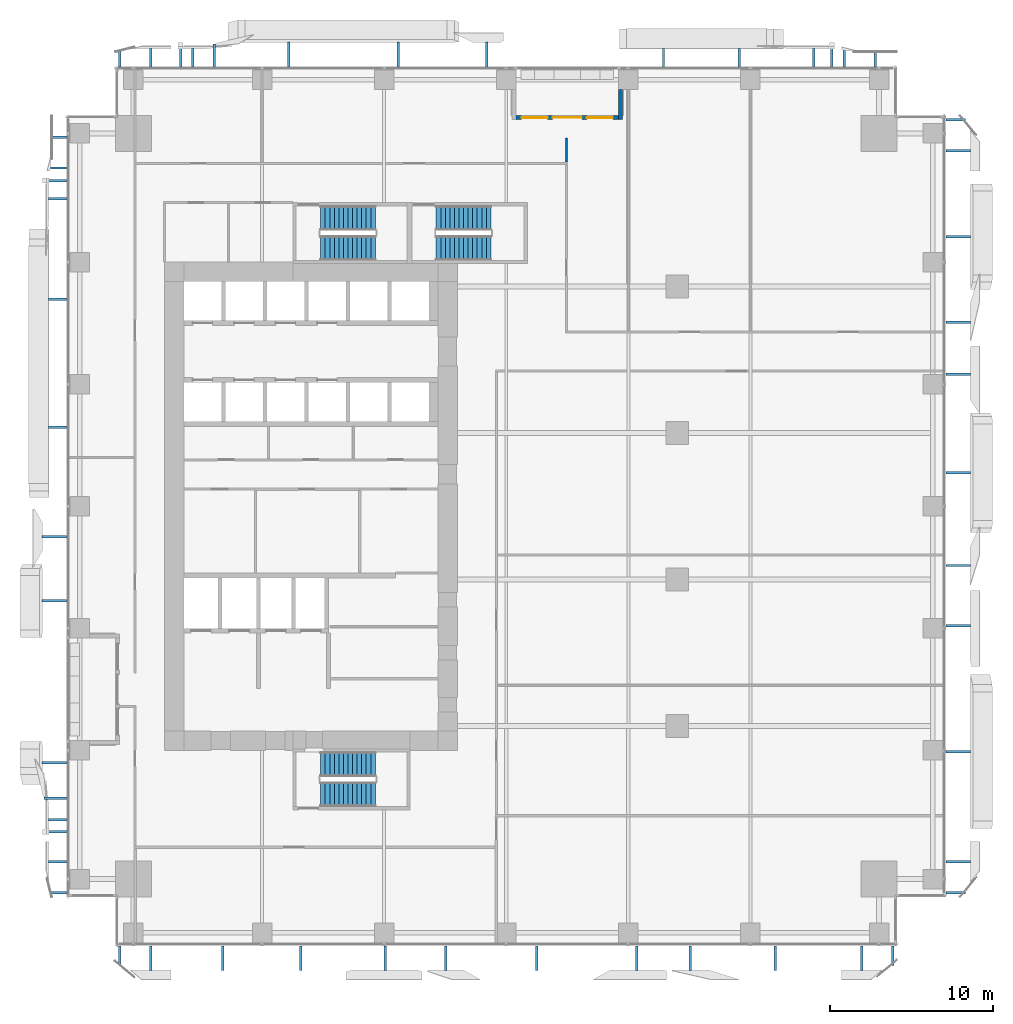
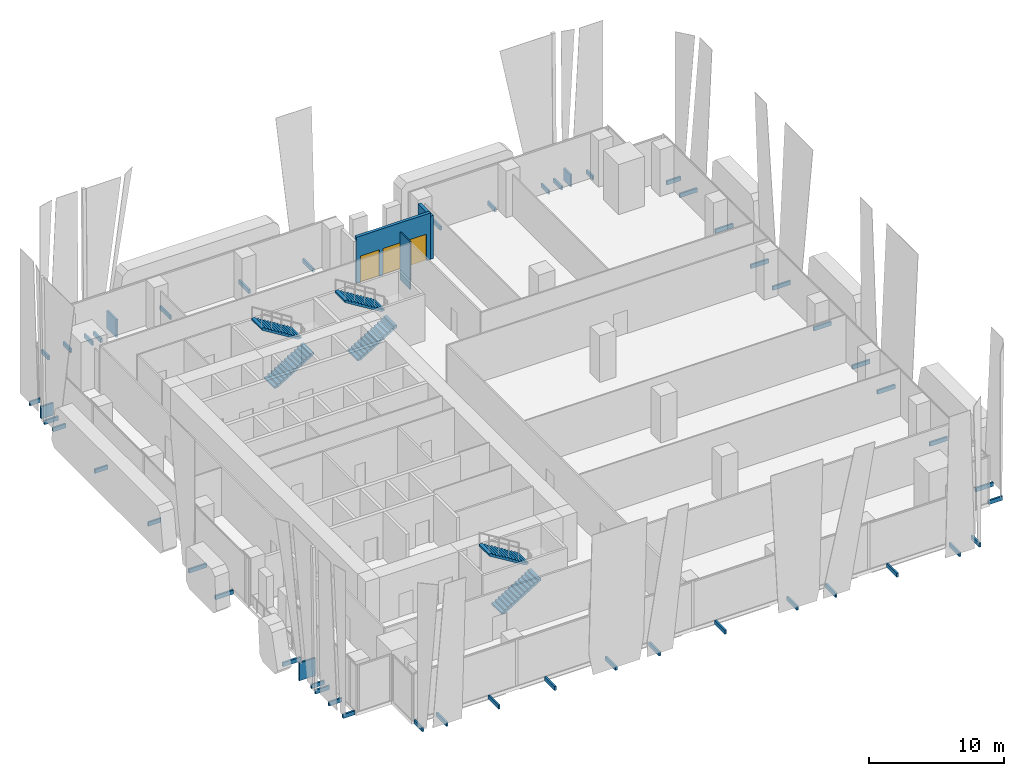
# One storey, part 31 of 36: 51 discrete accessories, 6 stair flights, 3 walls, 2 windows, 1 door, 3 openings, 3 elements without a shape of their own.
"""IFC4 building model written with IfcOpenShell, lengths in metres."""

import ifcopenshell
import ifcopenshell.guid

model = None  # the IFC model being written
_history = None  # IfcOwnerHistory: only IFC2X3 demands one
_inside = {}  # id of a spatial element -> (the spatial element, [elements in it])
_under = {}  # id of a project, library or spatial element -> (it, [spatial elements below it])
_declared = {}  # id of a project -> (the project, [libraries it declares])
_typed = {}  # id of a type object -> (the type object, [elements of that type])
_made_of = {}  # id of a material, layer set ... -> (it, [elements and type objects made of it])


def new_model(schema):
    """Start an empty IFC model of exactly this schema.

    Asked for "IFC4X3", IfcOpenShell would pick the latest addendum, in which some entities
    have other attributes; the version numbers below select the first issue.
    IFC2X3 requires an IfcOwnerHistory on every rooted entity: one is made here for all.
    """
    global model, _history
    if schema == "IFC4X3":
        model = ifcopenshell.file(schema_version=(4, 3, 0, 0))
    else:
        model = ifcopenshell.file(schema=schema)
    _inside.clear()
    _under.clear()
    _declared.clear()
    _typed.clear()
    _made_of.clear()
    _history = None
    if model.schema == "IFC2X3":
        org = make("IfcOrganization", Name="unknown")
        user = make(
            "IfcPersonAndOrganization",
            ThePerson=make("IfcPerson", FamilyName="unknown"),
            TheOrganization=org,
        )
        app = make(
            "IfcApplication",
            ApplicationDeveloper=org,
            Version="unknown",
            ApplicationFullName="unknown",
            ApplicationIdentifier="unknown",
        )
        _history = make(
            "IfcOwnerHistory",
            OwningUser=user,
            OwningApplication=app,
            ChangeAction="ADDED",
            CreationDate=0,
        )
    return model


def make(cls, **values):
    """One entity of the class cls with the attributes given. An attribute that is None is left unset."""
    return model.create_entity(
        cls, **{name: value for name, value in values.items() if value is not None}
    )


def rooted(cls, **values):
    """An entity with a GlobalId (a new one), such as an element, a storey or a relation."""
    return make(cls, GlobalId=ifcopenshell.guid.new(), OwnerHistory=_history, **values)


def si_unit(unit_type, name, prefix=None):
    """IfcSIUnit, for example si_unit("LENGTHUNIT", "METRE", prefix="MILLI")."""
    return make("IfcSIUnit", UnitType=unit_type, Prefix=prefix, Name=name)


def assignment(units):
    """IfcUnitAssignment: the units of a project."""
    return None if units is None else make("IfcUnitAssignment", Units=units)


def point(xyz):
    """IfcCartesianPoint."""
    return None if xyz is None else make("IfcCartesianPoint", Coordinates=xyz)


def direction(xyz):
    """IfcDirection."""
    return None if xyz is None else make("IfcDirection", DirectionRatios=xyz)


def frame(location, z_axis=None, x_axis=None):
    """IfcAxis2Placement3D, a coordinate frame: its origin and axes. An axis left out is left unset."""
    return make(
        "IfcAxis2Placement3D",
        Location=point(location),
        Axis=direction(z_axis),
        RefDirection=direction(x_axis),
    )


def frame_2d(location, x_axis=None):
    """IfcAxis2Placement2D, a coordinate frame in the plane: its origin and x axis."""
    return make(
        "IfcAxis2Placement2D", Location=point(location), RefDirection=direction(x_axis)
    )


def origin():
    """The frame at (0, 0, 0) with its axes left unset."""
    return frame((0.0, 0.0, 0.0))


def origin_2d():
    """The frame at (0, 0) in the plane with its x axis left unset."""
    return frame_2d((0.0, 0.0))


def place(relative_to, where):
    """IfcLocalPlacement: puts the frame where relative to a parent placement (None: the world)."""
    return make(
        "IfcLocalPlacement", PlacementRelTo=relative_to, RelativePlacement=where
    )


def context(
    kind, dimensions, precision=None, world=None, true_north=None, identifier=None
):
    """IfcGeometricRepresentationContext, for example the 3D "Model" context."""
    return make(
        "IfcGeometricRepresentationContext",
        ContextIdentifier=identifier,
        ContextType=kind,
        CoordinateSpaceDimension=dimensions,
        Precision=precision,
        WorldCoordinateSystem=world,
        TrueNorth=true_north,
    )


def subcontext(parent, identifier, kind, view, scale=None):
    """IfcGeometricRepresentationSubContext, for example "Body" below "Model"."""
    return make(
        "IfcGeometricRepresentationSubContext",
        ContextIdentifier=identifier,
        ContextType=kind,
        ParentContext=parent,
        TargetScale=scale,
        TargetView=view,
    )


def project(units=None, contexts=None):
    """IfcProject with its units and contexts."""
    return rooted(
        "IfcProject",
        Name="project",
        RepresentationContexts=contexts,
        UnitsInContext=assignment(units),
    )


def spatial(cls, under=None, at=None, **own):
    """A site, building, storey or space (cls), placed at a placement, below another one or the project."""
    s = rooted(cls, ObjectPlacement=at, **own)
    if under is not None:
        _under.setdefault(under.id(), (under, []))[1].append(s)
    return s


def polyline(points):
    """IfcPolyline through the points."""
    return make("IfcPolyline", Points=[point(p) for p in points])


def profile(cls, at=None, kind="AREA", **sizes):
    """A parametric profile (cls). Its sizes go by their IFC names, for example OverallWidth=200.0."""
    return make(cls, ProfileType=kind, Position=at, **sizes)


def rectangle(**sizes):
    """IfcRectangleProfileDef."""
    return profile("IfcRectangleProfileDef", **sizes)


def outline(outer, holes=None, kind="AREA"):
    """IfcArbitraryClosedProfileDef: a profile drawn as a closed curve; with holes, ...WithVoids."""
    if holes is None:
        return make("IfcArbitraryClosedProfileDef", ProfileType=kind, OuterCurve=outer)
    return make(
        "IfcArbitraryProfileDefWithVoids",
        ProfileType=kind,
        OuterCurve=outer,
        InnerCurves=holes,
    )


def extrude(swept, where, along, depth):
    """IfcExtrudedAreaSolid: the profile swept, set in the frame where, extruded along a direction by depth."""
    return make(
        "IfcExtrudedAreaSolid",
        SweptArea=swept,
        Position=where,
        ExtrudedDirection=direction(along),
        Depth=depth,
    )


def shape(context_of_items, identifier, shape_type, items):
    """IfcShapeRepresentation: the items that make up one representation, for example the "Body"."""
    return make(
        "IfcShapeRepresentation",
        ContextOfItems=context_of_items,
        RepresentationIdentifier=identifier,
        RepresentationType=shape_type,
        Items=items,
    )


def source(mapping_origin, context_of_items, identifier, shape_type, items):
    """IfcRepresentationMap: a shape defined once, which mapped items show again and again."""
    return make(
        "IfcRepresentationMap",
        MappingOrigin=mapping_origin,
        MappedRepresentation=shape(context_of_items, identifier, shape_type, items),
    )


def transform(
    local_origin,
    x_axis=None,
    y_axis=None,
    z_axis=None,
    scale=None,
    scale2=None,
    scale3=None,
    uniform=True,
):
    """IfcCartesianTransformationOperator3D, or its non-uniform kind. x_axis, y_axis, z_axis: its Axis1, 2, 3."""
    if uniform:
        return make(
            "IfcCartesianTransformationOperator3D",
            Axis1=direction(x_axis),
            Axis2=direction(y_axis),
            LocalOrigin=point(local_origin),
            Scale=scale,
            Axis3=direction(z_axis),
        )
    return make(
        "IfcCartesianTransformationOperator3DnonUniform",
        Axis1=direction(x_axis),
        Axis2=direction(y_axis),
        LocalOrigin=point(local_origin),
        Scale=scale,
        Axis3=direction(z_axis),
        Scale2=scale2,
        Scale3=scale3,
    )


def mapped(mapping_source, mapping_target):
    """IfcMappedItem: shows the shape of a source again, moved by a transform."""
    return make(
        "IfcMappedItem", MappingSource=mapping_source, MappingTarget=mapping_target
    )


def material(Name=None, Category=None):
    """IfcMaterial."""
    return make("IfcMaterial", Name=Name, Category=Category)


def layer(
    of_material, thickness, ventilated=None, Name=None, Category=None, Priority=None
):
    """IfcMaterialLayer: one layer of a wall or slab, of a material (None: an air gap)."""
    return make(
        "IfcMaterialLayer",
        Material=of_material,
        LayerThickness=thickness,
        IsVentilated=ventilated,
        Name=Name,
        Category=Category,
        Priority=Priority,
    )


def layer_set(layers, Name=None):
    """IfcMaterialLayerSet."""
    return make("IfcMaterialLayerSet", MaterialLayers=layers, LayerSetName=Name)


def made_of(thing, what):
    """Note that an element or type object is made of a material, layer set ...; save() writes the relation."""
    if what is not None:
        _made_of.setdefault(what.id(), (what, []))[1].append(thing)
    return thing


def type_object(cls, material=None, **own):
    """A type object (cls), such as IfcWallType, which elements share."""
    return made_of(rooted(cls, **own), material)


def element(
    cls,
    number,
    at=None,
    inside=None,
    cuts=None,
    type_object=None,
    material=None,
    context=None,
    identifier="Body",
    shape_type=None,
    held_by="IfcProductDefinitionShape",
    body=None,
    shapes=None,
    **own,
):
    """One element of the class cls, such as IfcWall. Its Tag is "e" and its number.

    at: its placement. inside: the storey or other place that contains it. cuts: it is an
    opening in that element (IfcRelVoidsElement). A single representation is given by context,
    identifier, shape_type and body (its items); several are given by shapes. held_by: the class
    of the entity that holds the representations. save() writes the other relations.
    """
    e = rooted(cls, Tag="e%d" % number, ObjectPlacement=at, **own)
    if body is not None:
        shapes = [shape(context, identifier, shape_type, body)]
    if shapes is not None:
        e.Representation = make(held_by, Representations=shapes)
    if inside is not None:
        _inside.setdefault(inside.id(), (inside, []))[1].append(e)
    if cuts is not None:
        rooted(
            "IfcRelVoidsElement", RelatingBuildingElement=cuts, RelatedOpeningElement=e
        )
    if type_object is not None:
        _typed.setdefault(type_object.id(), (type_object, []))[1].append(e)
    return made_of(e, material)


def fill(opening, filler):
    """IfcRelFillsElement: the door or window that sits in an opening."""
    return rooted(
        "IfcRelFillsElement",
        RelatingOpeningElement=opening,
        RelatedBuildingElement=filler,
    )


def aggregate(whole, parts):
    """IfcRelAggregates: a whole, such as a stair, and the parts it consists of."""
    return rooted("IfcRelAggregates", RelatingObject=whole, RelatedObjects=parts)


def save(model, path):
    """Write the relations noted so far, then the file.

    IfcRelAggregates (storeys below a building ...), IfcRelContainedInSpatialStructure (elements
    in a storey), IfcRelDefinesByType, IfcRelAssociatesMaterial and IfcRelDeclares: one each for
    every whole, place, type object, material and project.
    """
    for whole, parts in _under.values():
        aggregate(whole, parts)
    for where, things in _inside.values():
        rooted(
            "IfcRelContainedInSpatialStructure",
            RelatedElements=things,
            RelatingStructure=where,
        )
    for kind, things in _typed.values():
        rooted("IfcRelDefinesByType", RelatedObjects=things, RelatingType=kind)
    for what, things in _made_of.values():
        rooted("IfcRelAssociatesMaterial", RelatedObjects=things, RelatingMaterial=what)
    for by, libraries in _declared.values():
        rooted("IfcRelDeclares", RelatingContext=by, RelatedDefinitions=libraries)
    model.write(path)


model = new_model("IFC4")

# Units and contexts
model_context = context("Model", 3, precision=1e-05, world=origin(), true_north=direction((0.0, 1.0)))
body_context = subcontext(model_context, "Body", "Model", "MODEL_VIEW")
ifc_project = project(units=[si_unit("LENGTHUNIT", "METRE"), si_unit("AREAUNIT", "SQUARE_METRE"), si_unit("VOLUMEUNIT", "CUBIC_METRE"), si_unit("PLANEANGLEUNIT", "RADIAN"), si_unit("MASSUNIT", "GRAM", prefix="KILO")], contexts=[model_context])

# Site, building, storey
site_placement = place(None, origin())
site = spatial("IfcSite", under=ifc_project, at=site_placement, CompositionType="ELEMENT")
building_placement = place(site_placement, origin())
building = spatial("IfcBuilding", under=site, at=building_placement, Name="Khomas Fold Tower", CompositionType="ELEMENT")
storey_placement = place(building_placement, frame((0.0, 0.0, 46.5)))
storey = spatial("IfcBuildingStorey", under=building, at=storey_placement, Name="L09", CompositionType="ELEMENT", Elevation=46.5)

# Wall
ifc_material_1 = material(Name="Natural stone", Category="masonry")
ifc_layer_1 = layer(ifc_material_1, 0.0400390625)
ifc_material_2 = material(Name="Mineral wool insulation", Category="insulation")
ifc_layer_2 = layer(ifc_material_2, 0.10009765625)
ifc_material_3 = material(Name="Masonry", Category="masonry")
ifc_layer_3 = layer(ifc_material_3, 0.110107421875)
ifc_layer_set_1 = layer_set([ifc_layer_1, ifc_layer_2, ifc_layer_3], Name="Stone-faced insulated masonry")
wall_type_1 = type_object("IfcWallType", Name="BL-Balcony wall", PredefinedType="SOLIDWALL", material=ifc_layer_set_1)
shared_shape_1 = source(origin(), body_context, "Body", "SweptSolid", [
    extrude(rectangle(XDim=1.85009765625, YDim=0.25, at=frame_2d((0.925048828125, 0.0))), origin(), (0.0, 0.0, 1.0), 3.89990234375),
])
wall_1_placement = place(storey_placement, frame((34.02490234375, 52.60009765625, 0.0), z_axis=(0.0, 0.0, 1.0), x_axis=(0.0, -1.0, 0.0)))
element("IfcWall", 1, at=wall_1_placement, inside=storey, type_object=wall_type_1, Name="Balcony return wall BAL-L09-N3-hi", PredefinedType="SOLIDWALL", context=body_context, shape_type="MappedRepresentation", body=[
    mapped(shared_shape_1, transform((0.0, 0.0, 0.0))),
])

# Wall, openings, windows, door
shared_shape_2 = source(origin(), body_context, "Body", "SweptSolid", [
    extrude(rectangle(XDim=6.2998046875, YDim=0.25, at=frame_2d((3.14990234375, 0.0))), origin(), (0.0, 0.0, 1.0), 4.199951171875),
])
wall_2_placement = place(storey_placement, frame((27.60009765625, 50.875, 0.0), z_axis=(0.0, 0.0, 1.0), x_axis=(1.0, 0.0, 0.0)))
wall_2 = element("IfcWall", 2, at=wall_2_placement, inside=storey, type_object=wall_type_1, Name="Balcony wall BAL-L09-N3", PredefinedType="SOLIDWALL", context=body_context, shape_type="MappedRepresentation", body=[
    mapped(shared_shape_2, transform((0.0, 0.0, 0.0))),
])
shared_shape_3 = source(origin(), body_context, "Body", "SweptSolid", [
    extrude(rectangle(XDim=1.60009765625, YDim=2.39990234375, at=frame_2d((0.800048828125, 1.199951171875))), frame((0.0, 0.135009765625, 0.0), z_axis=(0.0, -1.0, 0.0), x_axis=(1.0, 0.0, 0.0)), (0.0, 0.0, 1.0), 0.27001953125),
])
opening_1_placement = place(wall_2_placement, frame((0.35009765625, 0.0, 0.0)))
opening_1 = element("IfcOpeningElement", 3, at=opening_1_placement, cuts=wall_2, Name="Opening BL-W1", PredefinedType="OPENING", context=body_context, shape_type="MappedRepresentation", body=[
    mapped(shared_shape_3, transform((0.0, 0.0, 0.0))),
])
opening_2_placement = place(wall_2_placement, frame((4.35009765625, 0.0, 0.0)))
opening_2 = element("IfcOpeningElement", 4, at=opening_2_placement, cuts=wall_2, Name="Opening BL-W1", PredefinedType="OPENING", context=body_context, shape_type="MappedRepresentation", body=[
    mapped(shared_shape_3, transform((0.0, 0.0, 0.0))),
])
shared_shape_4 = source(origin(), body_context, "Body", "SweptSolid", [
    extrude(rectangle(XDim=1.800048828125, YDim=2.39990234375, at=frame_2d((0.89990234375, 1.199951171875))), frame((0.0, 0.135009765625, 0.0), z_axis=(0.0, -1.0, 0.0), x_axis=(1.0, 0.0, 0.0)), (0.0, 0.0, 1.0), 0.27001953125),
])
opening_3_placement = place(wall_2_placement, frame((2.25, 0.0, 0.0)))
opening_3 = element("IfcOpeningElement", 5, at=opening_3_placement, cuts=wall_2, Name="Opening BD091", PredefinedType="OPENING", context=body_context, shape_type="MappedRepresentation", body=[
    mapped(shared_shape_4, transform((0.0, 0.0, 0.0))),
])
ifc_material_4 = material(Name="Aluminium framed double glazing", Category="aluminium")
window_type = type_object("IfcWindowType", Name="BL-Fixed glazing 1600 x 2400", PartitioningType="SINGLE_PANEL", PredefinedType="WINDOW", material=ifc_material_4)
shared_shape_5 = source(origin(), body_context, "Body", "SweptSolid", [
    extrude(rectangle(XDim=1.60009765625, YDim=2.39990234375, at=frame_2d((0.800048828125, 1.199951171875))), frame((0.0, 0.030029296875, 0.0), z_axis=(0.0, -1.0, 0.0), x_axis=(1.0, 0.0, 0.0)), (0.0, 0.0, 1.0), 0.06005859375),
])
window_1_placement = place(opening_1_placement, origin())
window_1 = element("IfcWindow", 6, at=window_1_placement, inside=storey, type_object=window_type, Name="Balcony glazing BAL-L09-N3-1", OverallHeight=2.39990234375, OverallWidth=1.60009765625, PartitioningType="SINGLE_PANEL", PredefinedType="WINDOW", context=body_context, shape_type="MappedRepresentation", body=[
    mapped(shared_shape_5, transform((0.0, 0.0, 0.0))),
])
fill(opening_1, window_1)
window_2_placement = place(opening_2_placement, origin())
window_2 = element("IfcWindow", 7, at=window_2_placement, inside=storey, type_object=window_type, Name="Balcony glazing BAL-L09-N3-2", OverallHeight=2.39990234375, OverallWidth=1.60009765625, PartitioningType="SINGLE_PANEL", PredefinedType="WINDOW", context=body_context, shape_type="MappedRepresentation", body=[
    mapped(shared_shape_5, transform((0.0, 0.0, 0.0))),
])
fill(opening_2, window_2)
ifc_material_5 = material(Name="Aluminium framed double glazing", Category="aluminium")
door_type = type_object("IfcDoorType", Name="BL-Glazed balcony door 1800 x 2400", OperationType="DOUBLE_DOOR_DOUBLE_SWING", PredefinedType="DOOR", material=ifc_material_5)
shared_shape_6 = source(origin(), body_context, "Body", "SweptSolid", [
    extrude(rectangle(XDim=1.800048828125, YDim=2.39990234375, at=frame_2d((0.89990234375, 1.199951171875))), frame((0.0, 0.02490234375, 0.0), z_axis=(0.0, -1.0, 0.0), x_axis=(1.0, 0.0, 0.0)), (0.0, 0.0, 1.0), 0.050048828125),
])
door_placement = place(opening_3_placement, origin())
door = element("IfcDoor", 8, at=door_placement, inside=storey, type_object=door_type, Name="Balcony door BD091", OperationType="DOUBLE_DOOR_DOUBLE_SWING", OverallHeight=2.39990234375, OverallWidth=1.800048828125, PredefinedType="DOOR", context=body_context, shape_type="MappedRepresentation", body=[
    mapped(shared_shape_6, transform((0.0, 0.0, 0.0))),
])
fill(opening_3, door)

# Wall
ifc_material_6 = material(Name="Plasterboard partition")
ifc_layer_4 = layer(ifc_material_6, 0.10009765625)
ifc_layer_set_2 = layer_set([ifc_layer_4], Name="Plasterboard partition")
wall_type_2 = type_object("IfcWallType", Name="Partition PW1 100", PredefinedType="PARTITIONING", material=ifc_layer_set_2)
shared_shape_7 = source(origin(), body_context, "Body", "SweptSolid", [
    extrude(rectangle(XDim=1.4501953125, YDim=0.10009765625, at=frame_2d((0.72509765625, 0.0))), origin(), (0.0, 0.0, 1.0), 4.300048828125),
])
wall_3_placement = place(storey_placement, frame((30.699951171875, 48.14990234375, 0.0), z_axis=(0.0, 0.0, 1.0), x_axis=(0.0, 1.0, 0.0)))
element("IfcWall", 9, at=wall_3_placement, inside=storey, type_object=wall_type_2, Name="Partition", PredefinedType="PARTITIONING", context=body_context, shape_type="MappedRepresentation", body=[
    mapped(shared_shape_7, transform((0.0, 0.0, 0.0))),
])

# Stair, stair flights
ifc_material_7 = material(Name="Concrete C40/50", Category="concrete")
stair_type_1 = type_object("IfcStairType", Name="Stair ST1", PredefinedType="HALF_TURN_STAIR", material=ifc_material_7)
stair_1_placement = place(storey_placement, origin())
stair_1 = element("IfcStair", 10, at=stair_1_placement, inside=storey, type_object=stair_type_1, Name="L09 ST1", PredefinedType="HALF_TURN_STAIR")
ifc_material_8 = material(Name="Concrete C40/50", Category="concrete")
stair_flight_type_1 = type_object("IfcStairFlightType", Name="Stair flight 1500 ST1", PredefinedType="STRAIGHT", material=ifc_material_8)
shared_shape_8 = source(origin(), body_context, "Body", "SweptSolid", [
    extrude(outline(polyline([(0.0, 0.0), (0.0, 0.013427734375), (0.0, 0.026611328125), (0.0, 0.0400390625), (0.0, 0.05322265625), (0.0, 0.066650390625), (0.0, 0.079833984375), (0.0, 0.09326171875), (0.0, 0.1064453125), (0.0, 0.119873046875), (0.0, 0.133056640625), (0.0, 0.146484375), (0.0, 0.15966796875), (0.0, 0.173095703125), (0.280029296875, 0.173095703125), (0.280029296875, 0.34619140625), (0.56005859375, 0.34619140625), (0.56005859375, 0.519287109375), (0.840087890625, 0.519287109375), (0.840087890625, 0.6923828125), (1.1201171875, 0.6923828125), (1.1201171875, 0.865478515625), (1.39990234375, 0.865478515625), (1.39990234375, 1.03857421875), (1.679931640625, 1.03857421875), (1.679931640625, 1.21142578125), (1.9599609375, 1.21142578125), (1.9599609375, 1.384521484375), (2.239990234375, 1.384521484375), (2.239990234375, 1.5576171875), (2.52001953125, 1.5576171875), (2.52001953125, 1.730712890625), (2.800048828125, 1.730712890625), (2.800048828125, 1.90380859375), (3.080078125, 1.90380859375), (3.080078125, 2.076904296875), (3.360107421875, 2.076904296875), (3.360107421875, 2.25), (3.360107421875, 2.22314453125), (3.360107421875, 2.1962890625), (3.360107421875, 2.16943359375), (3.360107421875, 2.142578125), (3.360107421875, 2.11572265625), (3.360107421875, 2.0888671875), (3.360107421875, 2.06201171875), (3.360107421875, 2.03515625), (3.360107421875, 2.008056640625), (3.360107421875, 1.981201171875), (3.360107421875, 1.954345703125), (3.360107421875, 1.927490234375), (3.360107421875, 1.900634765625), (0.28515625, 0.0), (0.0, 0.0)])), frame((0.0, 0.75, 0.0), z_axis=(0.0, -1.0, 0.0), x_axis=(1.0, 0.0, 0.0)), (0.0, 0.0, 1.0), 1.5),
])
stair_flight_1_placement = place(storey_placement, frame((15.60009765625, 42.85009765625, 0.0), z_axis=(0.0, 0.0, 1.0), x_axis=(1.0, 0.0, 0.0)))
stair_flight_1 = element("IfcStairFlight", 11, at=stair_flight_1_placement, type_object=stair_flight_type_1, Name="ST1 flight 1", NumberOfRisers=13, NumberOfTreads=12, PredefinedType="STRAIGHT", RiserHeight=0.173076923, TreadLength=0.28, context=body_context, shape_type="MappedRepresentation", body=[
    mapped(shared_shape_8, transform((0.0, 0.0, 0.0))),
])
stair_flight_2_placement = place(storey_placement, frame((18.9599609375, 44.699951171875, 2.25), z_axis=(0.0, 0.0, 1.0), x_axis=(-1.0, 0.0, 0.0)))
stair_flight_2 = element("IfcStairFlight", 12, at=stair_flight_2_placement, type_object=stair_flight_type_1, Name="ST1 flight 2", NumberOfRisers=13, NumberOfTreads=12, PredefinedType="STRAIGHT", RiserHeight=0.173076923, TreadLength=0.28, context=body_context, shape_type="MappedRepresentation", body=[
    mapped(shared_shape_8, transform((0.0, 0.0, 0.0))),
])
aggregate(stair_1, [stair_flight_1, stair_flight_2])

ifc_material_9 = material(Name="Concrete C40/50", Category="concrete")
stair_type_2 = type_object("IfcStairType", Name="Stair ST2", PredefinedType="HALF_TURN_STAIR", material=ifc_material_9)
stair_2_placement = place(storey_placement, origin())
stair_2 = element("IfcStair", 13, at=stair_2_placement, inside=storey, type_object=stair_type_2, Name="L09 ST2", PredefinedType="HALF_TURN_STAIR")
ifc_material_10 = material(Name="Concrete C40/50", Category="concrete")
stair_flight_type_2 = type_object("IfcStairFlightType", Name="Stair flight 1500 ST2", PredefinedType="STRAIGHT", material=ifc_material_10)
stair_flight_3_placement = place(storey_placement, frame((15.60009765625, 9.300048828125, 0.0), z_axis=(0.0, 0.0, 1.0), x_axis=(1.0, 0.0, 0.0)))
stair_flight_3 = element("IfcStairFlight", 14, at=stair_flight_3_placement, type_object=stair_flight_type_2, Name="ST2 flight 1", NumberOfRisers=13, NumberOfTreads=12, PredefinedType="STRAIGHT", RiserHeight=0.173076923, TreadLength=0.28, context=body_context, shape_type="MappedRepresentation", body=[
    mapped(shared_shape_8, transform((0.0, 0.0, 0.0))),
])
stair_flight_4_placement = place(storey_placement, frame((18.9599609375, 11.14990234375, 2.25), z_axis=(0.0, 0.0, 1.0), x_axis=(-1.0, 0.0, 0.0)))
stair_flight_4 = element("IfcStairFlight", 15, at=stair_flight_4_placement, type_object=stair_flight_type_2, Name="ST2 flight 2", NumberOfRisers=13, NumberOfTreads=12, PredefinedType="STRAIGHT", RiserHeight=0.173076923, TreadLength=0.28, context=body_context, shape_type="MappedRepresentation", body=[
    mapped(shared_shape_8, transform((0.0, 0.0, 0.0))),
])
aggregate(stair_2, [stair_flight_3, stair_flight_4])

ifc_material_11 = material(Name="Concrete C40/50", Category="concrete")
stair_type_3 = type_object("IfcStairType", Name="Stair ST3", PredefinedType="HALF_TURN_STAIR", material=ifc_material_11)
stair_3_placement = place(storey_placement, origin())
stair_3 = element("IfcStair", 16, at=stair_3_placement, inside=storey, type_object=stair_type_3, Name="L09 ST3", PredefinedType="HALF_TURN_STAIR")
ifc_material_12 = material(Name="Concrete C40/50", Category="concrete")
stair_flight_type_3 = type_object("IfcStairFlightType", Name="Stair flight 1500 ST3", PredefinedType="STRAIGHT", material=ifc_material_12)
stair_flight_5_placement = place(storey_placement, frame((22.699951171875, 42.85009765625, 0.0), z_axis=(0.0, 0.0, 1.0), x_axis=(1.0, 0.0, 0.0)))
stair_flight_5 = element("IfcStairFlight", 17, at=stair_flight_5_placement, type_object=stair_flight_type_3, Name="ST3 flight 1", NumberOfRisers=13, NumberOfTreads=12, PredefinedType="STRAIGHT", RiserHeight=0.173076923, TreadLength=0.28, context=body_context, shape_type="MappedRepresentation", body=[
    mapped(shared_shape_8, transform((0.0, 0.0, 0.0))),
])
stair_flight_6_placement = place(storey_placement, frame((26.06005859375, 44.699951171875, 2.25), z_axis=(0.0, 0.0, 1.0), x_axis=(-1.0, 0.0, 0.0)))
stair_flight_6 = element("IfcStairFlight", 18, at=stair_flight_6_placement, type_object=stair_flight_type_3, Name="ST3 flight 2", NumberOfRisers=13, NumberOfTreads=12, PredefinedType="STRAIGHT", RiserHeight=0.173076923, TreadLength=0.28, context=body_context, shape_type="MappedRepresentation", body=[
    mapped(shared_shape_8, transform((0.0, 0.0, 0.0))),
])
aggregate(stair_3, [stair_flight_5, stair_flight_6])

# Discrete accessories
ifc_material_13 = material(Name="Stainless steel", Category="steel")
discrete_accessory_type = type_object("IfcDiscreteAccessoryType", Name="SK-Stainless steel stone bracket", PredefinedType="BRACKET", material=ifc_material_13)
shared_shape_9 = source(origin(), body_context, "Body", "SweptSolid", [
    extrude(rectangle(XDim=1.517578125, YDim=0.14990234375, at=origin_2d()), origin(), (0.0, 0.0, 1.0), 0.360107421875),
])
for number, where, z_axis, x_axis, name in (
    (19, (9.589599609375, -0.7587890625, -0.30029296875), (0.0, 0.0, 1.0), (0.0, -1.0, 0.0), "Stone bracket L09 SS03-1-7"),
    (20, (14.368408203125, -0.7587890625, -0.30029296875), (0.0, 0.0, 1.0), (0.0, -1.0, 0.0), "Stone bracket L09 SS03-1-8"),
    (21, (28.877685546875, -0.7587890625, -0.30029296875), (0.0, 0.0, 1.0), (0.0, -1.0, 0.0), "Stone bracket L09 SS06-2-4"),
    (22, (43.526123046875, -0.7587890625, -0.30029296875), (0.0, 0.0, 1.0), (0.0, -1.0, 0.0), "Stone bracket L09 SS09-3-4"),
    (23, (54.7587890625, 11.924560546875, -0.30029296875), (0.0, 0.0, 1.0), (1.0, 0.0, 0.0), "Stone bracket L09 ES03-1-1"),
    (24, (54.7587890625, 29.054443359375, -0.30029296875), (0.0, 0.0, 1.0), (1.0, 0.0, 0.0), "Stone bracket L09 ES06-2-1"),
    (25, (54.7587890625, 43.564453125, -0.30029296875), (0.0, 0.0, 1.0), (1.0, 0.0, 0.0), "Stone bracket L09 ES09-3-1"),
    (26, (13.64892578125, 54.7587890625, -0.30029296875), (0.0, 0.0, 1.0), (0.0, 1.0, 0.0), "Stone bracket L09 NS05-1-1"),
    (27, (20.36474609375, 54.7587890625, -0.30029296875), (0.0, 0.0, 1.0), (0.0, 1.0, 0.0), "Stone bracket L09 NS05-1-2"),
    (28, (-0.7587890625, 21.185546875, -0.30029296875), (0.0, 0.0, 1.0), (-1.0, 0.0, 0.0), "Stone bracket L09 WS05-1-1"),
    (29, (-0.7587890625, 11.23046875, -0.30029296875), (0.0, 0.0, 1.0), (-1.0, 0.0, 0.0), "Stone bracket L09 WS05-2-1"),
    (30, (5.15478515625, -0.7587890625, -0.30029296875), (0.0, 0.0, 1.0), (0.0, -1.0, 0.0), "Stone bracket L09 SG098-1-1"),
    (31, (23.2724609375, -0.7587890625, -0.30029296875), (0.0, 0.0, 1.0), (0.0, -1.0, 0.0), "Stone bracket L09 SG102-3-1"),
    (32, (19.563232421875, -0.7587890625, -0.30029296875), (0.0, 0.0, 1.0), (0.0, -1.0, 0.0), "Stone bracket L09 SG101-4-1"),
    (33, (38.31201171875, -0.7587890625, -0.30029296875), (0.0, 0.0, 1.0), (0.0, -1.0, 0.0), "Stone bracket L09 SG105-5-1"),
    (34, (35.01318359375, -0.7587890625, -0.30029296875), (0.0, 0.0, 1.0), (0.0, -1.0, 0.0), "Stone bracket L09 SG104-6-1"),
    (35, (48.84521484375, -0.7587890625, -0.30029296875), (0.0, 0.0, 1.0), (0.0, -1.0, 0.0), "Stone bracket L09 SG107-7-1"),
    (36, (54.7587890625, 5.15478515625, -0.30029296875), (0.0, 0.0, 1.0), (1.0, 0.0, 0.0), "Stone bracket L09 EG098-1-1"),
    (37, (54.7587890625, 23.357421875, -0.30029296875), (0.0, 0.0, 1.0), (1.0, 0.0, 0.0), "Stone bracket L09 EG102-3-1"),
    (38, (54.7587890625, 19.648193359375, -0.30029296875), (0.0, 0.0, 1.0), (1.0, 0.0, 0.0), "Stone bracket L09 EG101-4-1"),
    (39, (54.7587890625, 38.31201171875, -0.30029296875), (0.0, 0.0, 1.0), (1.0, 0.0, 0.0), "Stone bracket L09 EG105-5-1"),
    (40, (54.7587890625, 35.09814453125, -0.30029296875), (0.0, 0.0, 1.0), (1.0, 0.0, 0.0), "Stone bracket L09 EG104-6-1"),
    (41, (54.7587890625, 48.84521484375, -0.30029296875), (0.0, 0.0, 1.0), (1.0, 0.0, 0.0), "Stone bracket L09 EG107-7-1"),
    (42, (25.810791015625, 54.7587890625, -0.30029296875), (0.0, 0.0, 1.0), (0.0, 1.0, 0.0), "Stone bracket L09 NG102-6-1"),
    (43, (-0.7587890625, 25.122314453125, -0.30029296875), (0.0, 0.0, 1.0), (-1.0, 0.0, 0.0), "Stone bracket L09 WG102-6-1"),
):
    element("IfcDiscreteAccessory", number, at=place(storey_placement, frame(where, z_axis=z_axis, x_axis=x_axis)), inside=storey, type_object=discrete_accessory_type, Name=name, PredefinedType="BRACKET", context=body_context, shape_type="MappedRepresentation", body=[
        mapped(shared_shape_9, transform((0.0, 0.0, 0.0))),
    ])
shared_shape_10 = source(origin(), body_context, "Body", "SweptSolid", [
    extrude(rectangle(XDim=1.102783203125, YDim=0.14990234375, at=origin_2d()), origin(), (0.0, 0.0, 1.0), 0.360107421875),
])
for number, where, z_axis, x_axis, name in (
    (44, (36.66162109375, 54.55126953125, -0.30029296875), (0.0, 0.0, 1.0), (0.0, 1.0, 0.0), "Stone bracket L09 NS08-2-1"),
    (45, (41.32470703125, 54.55126953125, -0.30029296875), (0.0, 0.0, 1.0), (0.0, 1.0, 0.0), "Stone bracket L09 NS08-2-2"),
    (46, (-0.55126953125, 31.857666015625, -0.30029296875), (0.0, 0.0, 1.0), (-1.0, 0.0, 0.0), "Stone bracket L09 WS08-3-1"),
    (47, (-0.55126953125, 39.723388671875, -0.30029296875), (0.0, 0.0, 1.0), (-1.0, 0.0, 0.0), "Stone bracket L09 WS08-3-2"),
    (48, (5.15478515625, 54.55126953125, -0.30029296875), (0.0, 0.0, 1.0), (0.0, 1.0, 0.0), "Stone bracket L09 NG098-1-1"),
    (49, (7.740478515625, 54.55126953125, -0.30029296875), (0.0, 0.0, 1.0), (0.0, 1.0, 0.0), "Stone bracket L09 NG099-4-1"),
    (50, (45.888427734375, 54.55126953125, -0.30029296875), (0.0, 0.0, 1.0), (0.0, 1.0, 0.0), "Stone bracket L09 NG106-7-1"),
    (51, (-0.55126953125, 5.15478515625, -0.30029296875), (0.0, 0.0, 1.0), (-1.0, 0.0, 0.0), "Stone bracket L09 WG098-1-1"),
    (52, (-0.55126953125, 7.740478515625, -0.30029296875), (0.0, 0.0, 1.0), (-1.0, 0.0, 0.0), "Stone bracket L09 WG099-4-1"),
    (53, (-0.55126953125, 45.888427734375, -0.30029296875), (0.0, 0.0, 1.0), (-1.0, 0.0, 0.0), "Stone bracket L09 WG106-7-1"),
):
    element("IfcDiscreteAccessory", number, at=place(storey_placement, frame(where, z_axis=z_axis, x_axis=x_axis)), inside=storey, type_object=discrete_accessory_type, Name=name, PredefinedType="BRACKET", context=body_context, shape_type="MappedRepresentation", body=[
        mapped(shared_shape_10, transform((0.0, 0.0, 0.0))),
    ])
shared_shape_11 = source(origin(), body_context, "Body", "SweptSolid", [
    extrude(rectangle(XDim=1.201171875, YDim=0.14990234375, at=origin_2d()), origin(), (0.0, 0.0, 1.0), 0.360107421875),
])
for number, where, z_axis, x_axis, name in (
    (54, (3.25634765625, -0.6005859375, -0.30029296875), (0.0, 0.0, 1.0), (0.0, -1.0, 0.0), "Stone bracket L09 SG098-2-1"),
    (55, (50.74365234375, -0.6005859375, -0.30029296875), (0.0, 0.0, 1.0), (0.0, -1.0, 0.0), "Stone bracket L09 SG107-8-1"),
    (56, (54.6005859375, 3.25634765625, -0.30029296875), (0.0, 0.0, 1.0), (1.0, 0.0, 0.0), "Stone bracket L09 EG098-2-1"),
    (57, (54.6005859375, 50.74365234375, -0.30029296875), (0.0, 0.0, 1.0), (1.0, 0.0, 0.0), "Stone bracket L09 EG107-8-1"),
):
    element("IfcDiscreteAccessory", number, at=place(storey_placement, frame(where, z_axis=z_axis, x_axis=x_axis)), inside=storey, type_object=discrete_accessory_type, Name=name, PredefinedType="BRACKET", context=body_context, shape_type="MappedRepresentation", body=[
        mapped(shared_shape_11, transform((0.0, 0.0, 0.0))),
    ])
shared_shape_12 = source(origin(), body_context, "Body", "SweptSolid", [
    extrude(rectangle(XDim=1.0078125, YDim=0.14990234375, at=origin_2d()), origin(), (0.0, 0.0, 1.0), 0.360107421875),
])
for number, where, z_axis, x_axis, name in (
    (58, (3.25634765625, 54.50390625, -0.30029296875), (0.0, 0.0, 1.0), (0.0, 1.0, 0.0), "Stone bracket L09 NG098-2-1"),
    (59, (-0.50390625, 3.25634765625, -0.30029296875), (0.0, 0.0, 1.0), (-1.0, 0.0, 0.0), "Stone bracket L09 WG098-2-1"),
):
    element("IfcDiscreteAccessory", number, at=place(storey_placement, frame(where, z_axis=z_axis, x_axis=x_axis)), inside=storey, type_object=discrete_accessory_type, Name=name, PredefinedType="BRACKET", context=body_context, shape_type="MappedRepresentation", body=[
        mapped(shared_shape_12, transform((0.0, 0.0, 0.0))),
    ])
shared_shape_13 = source(origin(), body_context, "Body", "SweptSolid", [
    extrude(rectangle(XDim=1.19775390625, YDim=0.14990234375, at=origin_2d()), origin(), (0.0, 0.0, 1.0), 0.360107421875),
])
for number, where, z_axis, x_axis, name in (
    (60, (7.0, 54.598876953125, -0.30029296875), (0.0, 0.0, 1.0), (0.0, 1.0, 0.0), "Stone bracket L09 NM099-3-1"),
    (61, (47.0, 54.598876953125, -0.30029296875), (0.0, 0.0, 1.0), (0.0, 1.0, 0.0), "Stone bracket L09 NM107-8-1"),
    (62, (-0.598876953125, 7.0, -0.30029296875), (0.0, 0.0, 1.0), (-1.0, 0.0, 0.0), "Stone bracket L09 WM099-3-1"),
    (63, (-0.598876953125, 47.0, -0.30029296875), (0.0, 0.0, 1.0), (-1.0, 0.0, 0.0), "Stone bracket L09 WM107-8-1"),
):
    element("IfcDiscreteAccessory", number, at=place(storey_placement, frame(where, z_axis=z_axis, x_axis=x_axis)), inside=storey, type_object=discrete_accessory_type, Name=name, PredefinedType="BRACKET", context=body_context, shape_type="MappedRepresentation", body=[
        mapped(shared_shape_13, transform((0.0, 0.0, 0.0))),
    ])
shared_shape_14 = source(origin(), body_context, "Body", "SweptSolid", [
    extrude(rectangle(XDim=1.391357421875, YDim=0.14990234375, at=origin_2d()), origin(), (0.0, 0.0, 1.0), 1.610107421875),
])
for number, where, z_axis, x_axis, name in (
    (64, (9.062255859375, 54.695556640625, -0.30029296875), (0.0, 0.0, 1.0), (0.0, 1.0, 0.0), "Stone bracket L09 NG099-5-1"),
    (65, (-0.695556640625, 9.062255859375, -0.30029296875), (0.0, 0.0, 1.0), (-1.0, 0.0, 0.0), "Stone bracket L09 WG099-5-1"),
):
    element("IfcDiscreteAccessory", number, at=place(storey_placement, frame(where, z_axis=z_axis, x_axis=x_axis)), inside=storey, type_object=discrete_accessory_type, Name=name, PredefinedType="BRACKET", context=body_context, shape_type="MappedRepresentation", body=[
        mapped(shared_shape_14, transform((0.0, 0.0, 0.0))),
    ])
shared_shape_15 = source(origin(), body_context, "Body", "SweptSolid", [
    extrude(rectangle(XDim=0.925048828125, YDim=0.14990234375, at=origin_2d()), origin(), (0.0, 0.0, 1.0), 0.360107421875),
])
for number, where, z_axis, x_axis, name in (
    (66, (49.65478515625, 54.46240234375, -0.30029296875), (0.0, 0.0, 1.0), (0.0, 1.0, 0.0), "Stone bracket L09 NG107-9-1"),
    (67, (-0.46240234375, 49.65478515625, -0.30029296875), (0.0, 0.0, 1.0), (-1.0, 0.0, 0.0), "Stone bracket L09 WG107-9-1"),
):
    element("IfcDiscreteAccessory", number, at=place(storey_placement, frame(where, z_axis=z_axis, x_axis=x_axis)), inside=storey, type_object=discrete_accessory_type, Name=name, PredefinedType="BRACKET", context=body_context, shape_type="MappedRepresentation", body=[
        mapped(shared_shape_15, transform((0.0, 0.0, 0.0))),
    ])
shared_shape_16 = source(origin(), body_context, "Body", "SweptSolid", [
    extrude(rectangle(XDim=1.037353515625, YDim=0.14990234375, at=origin_2d()), origin(), (0.0, 0.0, 1.0), 1.110107421875),
])
for number, where, z_axis, x_axis, name in (
    (68, (47.776123046875, 54.5185546875, -0.30029296875), (0.0, 0.0, 1.0), (0.0, 1.0, 0.0), "Stone bracket L09 NG107-10-1"),
    (69, (-0.5185546875, 47.776123046875, -0.30029296875), (0.0, 0.0, 1.0), (-1.0, 0.0, 0.0), "Stone bracket L09 WG107-10-1"),
):
    element("IfcDiscreteAccessory", number, at=place(storey_placement, frame(where, z_axis=z_axis, x_axis=x_axis)), inside=storey, type_object=discrete_accessory_type, Name=name, PredefinedType="BRACKET", context=body_context, shape_type="MappedRepresentation", body=[
        mapped(shared_shape_16, transform((0.0, 0.0, 0.0))),
    ])

save(model, "model.ifc")
